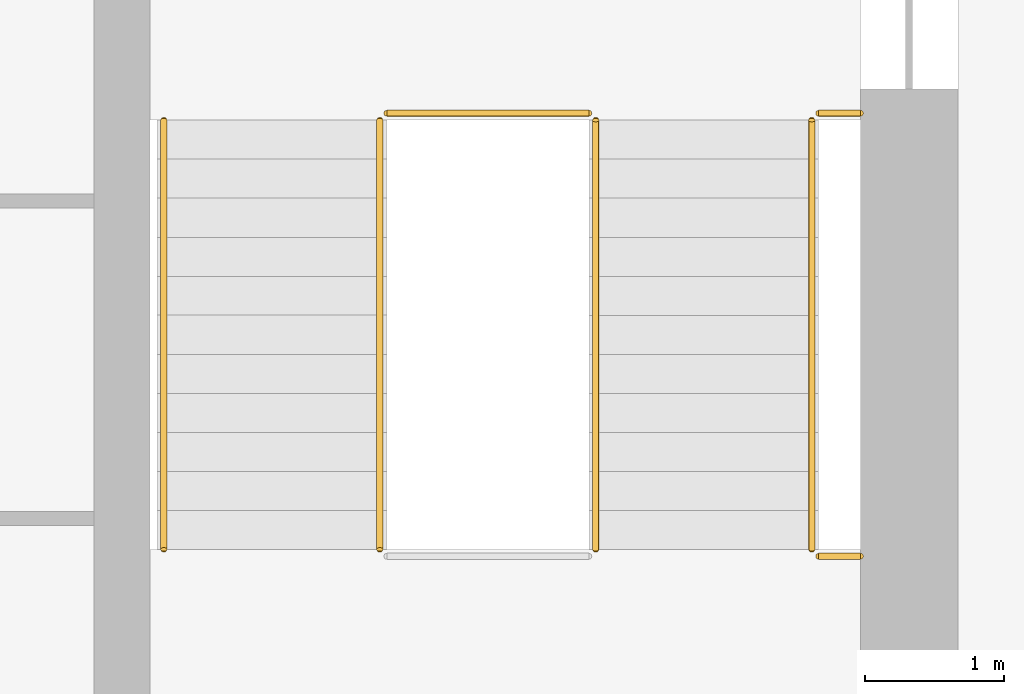
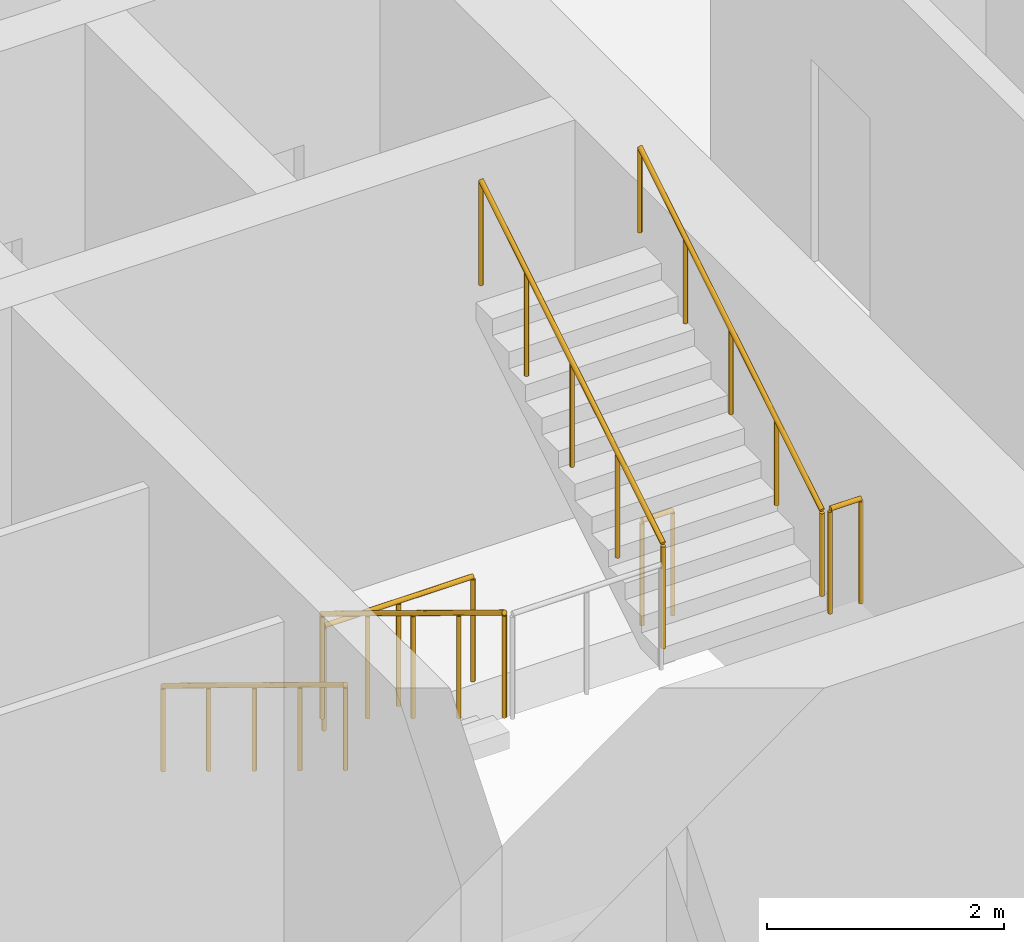
# One storey, part 12 of 17: 7 railings.
"""IFC4 building model written with IfcOpenShell, lengths in metres."""

from ifc_helpers import new_model, si_unit, direction, frame, origin, origin_2d, place, context, subcontext, project, spatial, circle, extrude, material, type_object, element, save


model = new_model("IFC4")

# Units and contexts
model_context = context("Model", 3, precision=1e-05, world=origin(), true_north=direction((0.0, 1.0)))
body_context = subcontext(model_context, "Body", "Model", "MODEL_VIEW")
ifc_project = project(units=[si_unit("LENGTHUNIT", "METRE"), si_unit("AREAUNIT", "SQUARE_METRE"), si_unit("VOLUMEUNIT", "CUBIC_METRE"), si_unit("PLANEANGLEUNIT", "RADIAN"), si_unit("MASSUNIT", "GRAM", prefix="KILO")], contexts=[model_context])

# Site, building, storey
site_placement = place(None, origin())
site = spatial("IfcSite", under=ifc_project, at=site_placement, CompositionType="ELEMENT")
building_placement = place(site_placement, origin())
building = spatial("IfcBuilding", under=site, at=building_placement, Name="Corbel Stack Research Tower", CompositionType="ELEMENT")
storey_placement = place(building_placement, frame((0.0, 0.0, 235.699951171875)))
storey = spatial("IfcBuildingStorey", under=building, at=storey_placement, Name="L53", CompositionType="ELEMENT", Elevation=235.699951171875)

# Railings
ifc_material_1 = material(Name="Steel S355", Category="steel")
railing_type_1 = type_object("IfcRailingType", Name="Stair guard 1100", PredefinedType="GUARDRAIL", material=ifc_material_1)
railing_1_placement = place(storey_placement, frame((13.85009765625, -2.39990234375, 0.1708984375)))
element("IfcRailing", 1, at=railing_1_placement, inside=storey, type_object=railing_type_1, Name="L53 ST-E1 stair guard 1", PredefinedType="GUARDRAIL", context=body_context, shape_type="SweptSolid", body=[
    extrude(circle(Radius=0.02392578125, at=origin_2d()), frame((0.0, 0.0, 1.076171875), z_axis=(0.0, -0.853666305674, 0.52082035152), x_axis=(1.0, 0.0, 0.0)), (0.0, 0.0, 1.0), 3.608154296875),
    extrude(circle(Radius=0.02099609375, at=origin_2d()), origin(), (0.0, 0.0, 1.0), 1.052001953125),
    extrude(circle(Radius=0.02099609375, at=origin_2d()), frame((0.0, -0.77001953125, 0.4697265625)), (0.0, 0.0, 1.0), 1.052001953125),
    extrude(circle(Radius=0.02099609375, at=origin_2d()), frame((0.0, -1.5400390625, 0.939453125)), (0.0, 0.0, 1.0), 1.052001953125),
    extrude(circle(Radius=0.02099609375, at=origin_2d()), frame((0.0, -2.31005859375, 1.409423828125)), (0.0, 0.0, 1.0), 1.052001953125),
    extrude(circle(Radius=0.02099609375, at=origin_2d()), frame((0.0, -3.080078125, 1.879150390625)), (0.0, 0.0, 1.0), 1.052001953125),
])
railing_2_placement = place(storey_placement, frame((17.0, -5.530029296875, 2.050048828125)))
element("IfcRailing", 2, at=railing_2_placement, inside=storey, type_object=railing_type_1, Name="L53 ST-E1 stair guard 3", PredefinedType="GUARDRAIL", context=body_context, shape_type="SweptSolid", body=[
    extrude(circle(Radius=0.02392578125, at=origin_2d()), frame((0.0, 0.0, 1.076171875), z_axis=(1.0, 0.0, 0.0), x_axis=(0.0, 1.0, 0.0)), (0.0, 0.0, 1.0), 0.300048828125),
    extrude(circle(Radius=0.02099609375, at=origin_2d()), origin(), (0.0, 0.0, 1.0), 1.052001953125),
    extrude(circle(Radius=0.02099609375, at=origin_2d()), frame((0.300048828125, 0.0, 0.0)), (0.0, 0.0, 1.0), 1.052001953125),
])
railing_3_placement = place(storey_placement, frame((15.39990234375, -5.47998046875, 2.220947265625)))
element("IfcRailing", 3, at=railing_3_placement, inside=storey, type_object=railing_type_1, Name="L53 ST-E1 stair guard 4", PredefinedType="GUARDRAIL", context=body_context, shape_type="SweptSolid", body=[
    extrude(circle(Radius=0.02392578125, at=origin_2d()), frame((0.0, 0.0, 1.076171875), z_axis=(0.0, 0.853666305674, 0.52082035152), x_axis=(-1.0, 0.0, 0.0)), (0.0, 0.0, 1.0), 3.608154296875),
    extrude(circle(Radius=0.02099609375, at=origin_2d()), origin(), (0.0, 0.0, 1.0), 1.052001953125),
    extrude(circle(Radius=0.02099609375, at=origin_2d()), frame((0.0, 0.77001953125, 0.4697265625)), (0.0, 0.0, 1.0), 1.052001953125),
    extrude(circle(Radius=0.02099609375, at=origin_2d()), frame((0.0, 1.5400390625, 0.939453125)), (0.0, 0.0, 1.0), 1.052001953125),
    extrude(circle(Radius=0.02099609375, at=origin_2d()), frame((0.0, 2.31005859375, 1.409423828125)), (0.0, 0.0, 1.0), 1.052001953125),
    extrude(circle(Radius=0.02099609375, at=origin_2d()), frame((0.0, 3.080078125, 1.879150390625)), (0.0, 0.0, 1.0), 1.052001953125),
])
railing_4_placement = place(storey_placement, frame((13.89990234375, -2.35009765625, 0.0)))
element("IfcRailing", 4, at=railing_4_placement, inside=storey, type_object=railing_type_1, Name="L53 ST-E1 stair guard 5", PredefinedType="GUARDRAIL", context=body_context, shape_type="SweptSolid", body=[
    extrude(circle(Radius=0.02392578125, at=origin_2d()), frame((0.0, 0.0, 1.076171875), z_axis=(1.0, 0.0, 0.0), x_axis=(0.0, 1.0, 0.0)), (0.0, 0.0, 1.0), 1.4501953125),
    extrude(circle(Radius=0.02099609375, at=origin_2d()), origin(), (0.0, 0.0, 1.0), 1.052001953125),
    extrude(circle(Radius=0.02099609375, at=origin_2d()), frame((0.72509765625, 0.0, 0.0)), (0.0, 0.0, 1.0), 1.052001953125),
    extrude(circle(Radius=0.02099609375, at=origin_2d()), frame((1.4501953125, 0.0, 0.0)), (0.0, 0.0, 1.0), 1.052001953125),
])
railing_5_placement = place(storey_placement, frame((17.0, -2.35009765625, 0.0)))
element("IfcRailing", 5, at=railing_5_placement, inside=storey, type_object=railing_type_1, Name="L53 ST-E1 stair guard 6", PredefinedType="GUARDRAIL", context=body_context, shape_type="SweptSolid", body=[
    extrude(circle(Radius=0.02392578125, at=origin_2d()), frame((0.0, 0.0, 1.076171875), z_axis=(1.0, 0.0, 0.0), x_axis=(0.0, 1.0, 0.0)), (0.0, 0.0, 1.0), 0.300048828125),
    extrude(circle(Radius=0.02099609375, at=origin_2d()), origin(), (0.0, 0.0, 1.0), 1.052001953125),
    extrude(circle(Radius=0.02099609375, at=origin_2d()), frame((0.300048828125, 0.0, 0.0)), (0.0, 0.0, 1.0), 1.052001953125),
])
ifc_material_2 = material(Name="Steel S355", Category="steel")
railing_type_2 = type_object("IfcRailingType", Name="Stair handrail 900", PredefinedType="HANDRAIL", material=ifc_material_2)
railing_6_placement = place(storey_placement, frame((12.300048828125, -2.39990234375, 0.1708984375)))
element("IfcRailing", 6, at=railing_6_placement, inside=storey, type_object=railing_type_2, Name="L53 ST-E1 stair handrail 1", PredefinedType="HANDRAIL", context=body_context, shape_type="SweptSolid", body=[
    extrude(circle(Radius=0.02392578125, at=origin_2d()), frame((0.0, 0.0, 0.8759765625), z_axis=(0.0, -0.853666305674, 0.52082035152), x_axis=(1.0, 0.0, 0.0)), (0.0, 0.0, 1.0), 3.608154296875),
    extrude(circle(Radius=0.02099609375, at=origin_2d()), origin(), (0.0, 0.0, 1.0), 0.851806640625),
    extrude(circle(Radius=0.02099609375, at=origin_2d()), frame((0.0, -0.77001953125, 0.4697265625)), (0.0, 0.0, 1.0), 0.851806640625),
    extrude(circle(Radius=0.02099609375, at=origin_2d()), frame((0.0, -1.5400390625, 0.939453125)), (0.0, 0.0, 1.0), 0.851806640625),
    extrude(circle(Radius=0.02099609375, at=origin_2d()), frame((0.0, -2.31005859375, 1.409423828125)), (0.0, 0.0, 1.0), 0.851806640625),
    extrude(circle(Radius=0.02099609375, at=origin_2d()), frame((0.0, -3.080078125, 1.879150390625)), (0.0, 0.0, 1.0), 0.851806640625),
])
railing_7_placement = place(storey_placement, frame((16.949951171875, -5.47998046875, 2.220947265625)))
element("IfcRailing", 7, at=railing_7_placement, inside=storey, type_object=railing_type_2, Name="L53 ST-E1 stair handrail 2", PredefinedType="HANDRAIL", context=body_context, shape_type="SweptSolid", body=[
    extrude(circle(Radius=0.02392578125, at=origin_2d()), frame((0.0, 0.0, 0.8759765625), z_axis=(0.0, 0.853666305674, 0.52082035152), x_axis=(-1.0, 0.0, 0.0)), (0.0, 0.0, 1.0), 3.608154296875),
    extrude(circle(Radius=0.02099609375, at=origin_2d()), origin(), (0.0, 0.0, 1.0), 0.851806640625),
    extrude(circle(Radius=0.02099609375, at=origin_2d()), frame((0.0, 0.77001953125, 0.4697265625)), (0.0, 0.0, 1.0), 0.851806640625),
    extrude(circle(Radius=0.02099609375, at=origin_2d()), frame((0.0, 1.5400390625, 0.939453125)), (0.0, 0.0, 1.0), 0.851806640625),
    extrude(circle(Radius=0.02099609375, at=origin_2d()), frame((0.0, 2.31005859375, 1.409423828125)), (0.0, 0.0, 1.0), 0.851806640625),
    extrude(circle(Radius=0.02099609375, at=origin_2d()), frame((0.0, 3.080078125, 1.879150390625)), (0.0, 0.0, 1.0), 0.851806640625),
])

save(model, "model.ifc")
